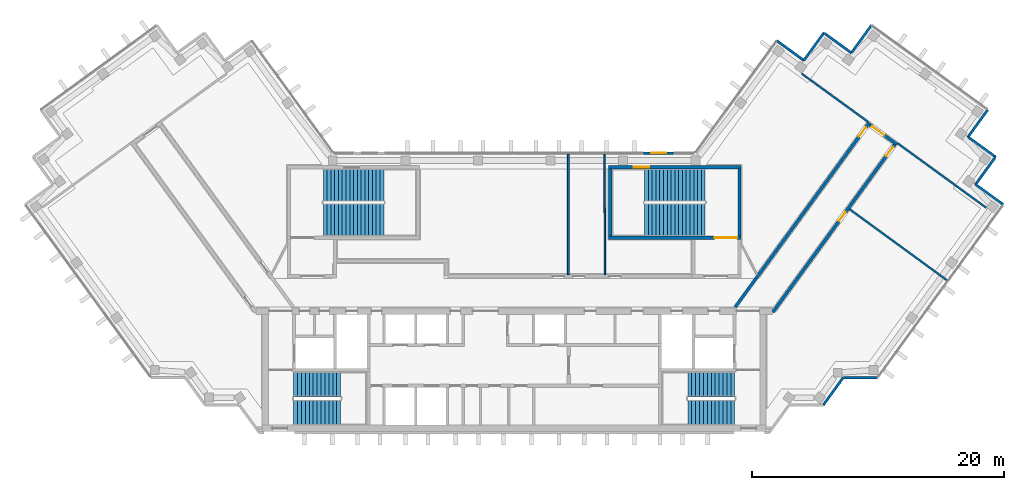
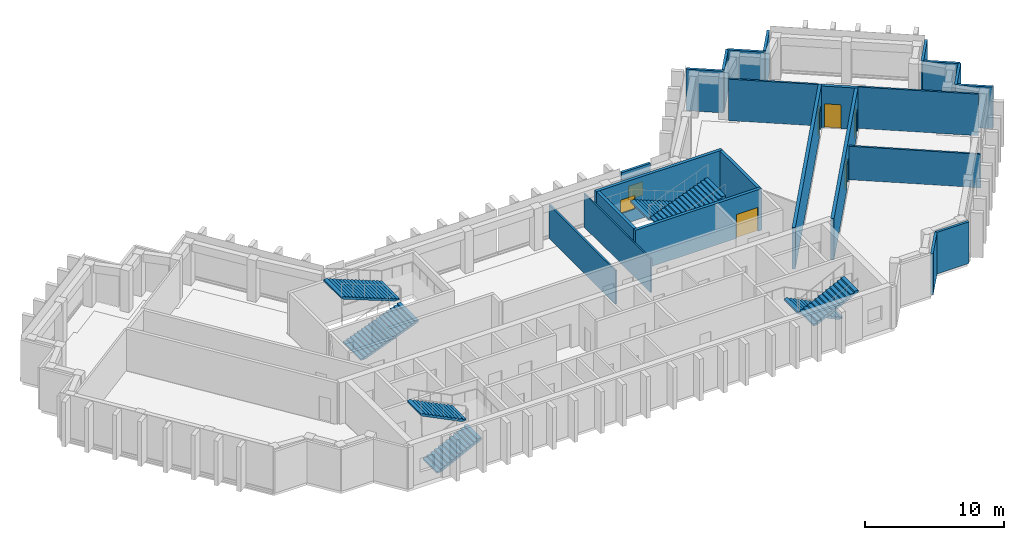
# One storey, part 6 of 8: 23 walls, 8 stair flights, 5 doors, 2 windows, 7 openings, 4 elements without a shape of their own.
"""IFC4 building model written with IfcOpenShell, lengths in metres."""

from ifc_helpers import new_model, si_unit, direction, frame, frame_2d, origin, place, context, subcontext, project, spatial, polyline, rectangle, outline, extrude, material, layer, layer_set, type_object, element, fill, aggregate, save


model = new_model("IFC4")

# Units and contexts
model_context = context("Model", 3, precision=1e-05, world=origin(), true_north=direction((0.0, 1.0)))
body_context = subcontext(model_context, "Body", "Model", "MODEL_VIEW")
ifc_project = project(units=[si_unit("LENGTHUNIT", "METRE"), si_unit("AREAUNIT", "SQUARE_METRE"), si_unit("VOLUMEUNIT", "CUBIC_METRE"), si_unit("PLANEANGLEUNIT", "RADIAN"), si_unit("MASSUNIT", "GRAM", prefix="KILO")], contexts=[model_context])

# Site, building, storey
site_placement = place(None, origin())
site = spatial("IfcSite", under=ifc_project, at=site_placement, CompositionType="ELEMENT")
building_placement = place(site_placement, origin())
building = spatial("IfcBuilding", under=site, at=building_placement, Name="Quipu Civic Tower", CompositionType="ELEMENT")
storey_placement = place(building_placement, frame((0.0, 0.0, 343.0)))
storey = spatial("IfcBuildingStorey", under=building, at=storey_placement, Name="L80", CompositionType="ELEMENT", Elevation=343.0)

# Walls
ifc_material_1 = material(Name="Double gypsum plasterboard with mineral wool")
ifc_layer_1 = layer(ifc_material_1, 0.14990234375)
ifc_layer_set_1 = layer_set([ifc_layer_1], Name="Double gypsum plasterboard with mineral wool")
wall_type_1 = type_object("IfcWallType", Name="Acoustic partition 150 plasterboard", PredefinedType="PARTITIONING", material=ifc_layer_set_1)
wall_1_placement = place(storey_placement, frame((28.0732421875, 13.577880859375, 0.0), z_axis=(0.0, 0.0, 1.0), x_axis=(-0.809000932727, 0.587807358619, 0.0)))
element("IfcWall", 1, at=wall_1_placement, inside=storey, type_object=wall_type_1, Name="Partition P01", PredefinedType="PARTITIONING", context=body_context, shape_type="SweptSolid", body=[
    extrude(rectangle(XDim=6.49560546875, YDim=0.14990234375, at=frame_2d((3.247802734375, 0.0))), origin(), (0.0, 0.0, 1.0), 3.64990234375),
])
wall_2_placement = place(storey_placement, frame((37.4580078125, 6.759765625, 0.0), z_axis=(0.0, 0.0, 1.0), x_axis=(-0.809016295501, 0.587786214209, 0.0)))
element("IfcWall", 2, at=wall_2_placement, inside=storey, type_object=wall_type_1, Name="Partition P02", PredefinedType="PARTITIONING", context=body_context, shape_type="SweptSolid", body=[
    extrude(rectangle(XDim=8.700439453125, YDim=0.14990234375, at=frame_2d((4.35009765625, 0.0))), origin(), (0.0, 0.0, 1.0), 3.64990234375),
])
for number, where, z_axis, x_axis, name in (
    (3, (26.618896484375, 6.643310546875, 0.0), (0.0, 0.0, 1.0), (0.807594822539, -0.589737740532, 0.0), "Partition P03"),
    (4, (4.299072265625, 1.449951171875, 0.0), (0.0, 0.0, 1.0), (0.0, 1.0, 0.0), "Partition P06"),
):
    element("IfcWall", number, at=place(storey_placement, frame(where, z_axis=z_axis, x_axis=x_axis)), inside=storey, type_object=wall_type_1, Name=name, PredefinedType="PARTITIONING", context=body_context, shape_type="SweptSolid", body=[
        extrude(rectangle(XDim=9.550048828125, YDim=0.14990234375, at=frame_2d((4.77490234375, 0.0))), origin(), (0.0, 0.0, 1.0), 2.949951171875),
    ])

# Wall, opening, door
ifc_material_2 = material(Name="Concrete C70/85", Category="concrete")
ifc_layer_2 = layer(ifc_material_2, 0.25)
ifc_layer_set_2 = layer_set([ifc_layer_2], Name="Concrete C70/85")
wall_type_2 = type_object("IfcWallType", Name="Core wall 250", PredefinedType="SHEAR", material=ifc_layer_set_2)
wall_3_placement = place(storey_placement, frame((7.5, 4.375, 0.0), z_axis=(0.0, 0.0, 1.0), x_axis=(1.0, 0.0, 0.0)))
wall_3 = element("IfcWall", 5, at=wall_3_placement, inside=storey, type_object=wall_type_2, Name="Core wall", PredefinedType="SHEAR", context=body_context, shape_type="SweptSolid", body=[
    extrude(rectangle(XDim=10.5, YDim=0.25, at=frame_2d((5.25, 0.0))), origin(), (0.0, 0.0, 1.0), 3.64990234375),
])
opening_1_placement = place(wall_3_placement, frame((8.39990234375, 0.0, 0.0)))
opening_1 = element("IfcOpeningElement", 6, at=opening_1_placement, cuts=wall_3, Name="Opening CD-26", PredefinedType="OPENING", context=body_context, shape_type="SweptSolid", body=[
    extrude(rectangle(XDim=1.800048828125, YDim=2.10009765625, at=frame_2d((0.89990234375, 1.050048828125))), frame((0.0, 0.135009765625, 0.0), z_axis=(0.0, -1.0, 0.0), x_axis=(1.0, 0.0, 0.0)), (0.0, 0.0, 1.0), 0.27001953125),
])
ifc_material_3 = material(Name="Fire rated steel door", Category="steel")
door_type_1 = type_object("IfcDoorType", Name="Fire door FD90 double 1800 x 2100", OperationType="NOTDEFINED", PredefinedType="DOOR", material=ifc_material_3)
door_1_placement = place(opening_1_placement, origin())
door_1 = element("IfcDoor", 7, at=door_1_placement, inside=storey, type_object=door_type_1, Name="Door", OperationType="DOUBLE_DOOR_SINGLE_SWING", OverallHeight=2.10009765625, OverallWidth=1.800048828125, PredefinedType="DOOR", context=body_context, shape_type="SweptSolid", body=[
    extrude(rectangle(XDim=1.800048828125, YDim=2.10009765625, at=frame_2d((0.89990234375, 1.050048828125))), frame((0.0, 0.02490234375, 0.0), z_axis=(0.0, -1.0, 0.0), x_axis=(1.0, 0.0, 0.0)), (0.0, 0.0, 1.0), 0.050048828125),
])
fill(opening_1, door_1)

# Walls
for number, where, z_axis, x_axis, name in (
    (8, (7.625, 4.5, 0.0), (0.0, 0.0, 1.0), (0.0, 1.0, 0.0), "Core wall"),
    (9, (17.875, 4.5, 0.0), (0.0, 0.0, 1.0), (0.0, 1.0, 0.0), "Core wall"),
):
    element("IfcWall", number, at=place(storey_placement, frame(where, z_axis=z_axis, x_axis=x_axis)), inside=storey, type_object=wall_type_2, Name=name, PredefinedType="SHEAR", context=body_context, shape_type="SweptSolid", body=[
        extrude(rectangle(XDim=5.35009765625, YDim=0.25, at=frame_2d((2.675048828125, 0.0))), origin(), (0.0, 0.0, 1.0), 3.64990234375),
    ])

# Wall, opening, window
wall_4_placement = place(storey_placement, frame((7.5, 9.97509765625, 0.0), z_axis=(0.0, 0.0, 1.0), x_axis=(1.0, 0.0, 0.0)))
wall_4 = element("IfcWall", 10, at=wall_4_placement, inside=storey, type_object=wall_type_2, Name="Core wall", PredefinedType="SHEAR", context=body_context, shape_type="SweptSolid", body=[
    extrude(rectangle(XDim=10.5, YDim=0.25, at=frame_2d((5.25, 0.0))), origin(), (0.0, 0.0, 1.0), 3.64990234375),
])
opening_2_placement = place(wall_4_placement, frame((2.0, 0.0, 1.0)))
opening_2 = element("IfcOpeningElement", 11, at=opening_2_placement, cuts=wall_4, Name="Opening SV-4", PredefinedType="OPENING", context=body_context, shape_type="SweptSolid", body=[
    extrude(rectangle(XDim=1.199951171875, YDim=1.199951171875, at=frame_2d((0.60009765625, 0.60009765625))), frame((0.0, 0.135009765625, 0.0), z_axis=(0.0, -1.0, 0.0), x_axis=(1.0, 0.0, 0.0)), (0.0, 0.0, 1.0), 0.27001953125),
])
ifc_material_4 = material(Name="Aluminium louvre", Category="aluminium")
window_type_1 = type_object("IfcWindowType", Name="Stair ventilation louvre 1200 x 1200", PartitioningType="SINGLE_PANEL", PredefinedType="WINDOW", material=ifc_material_4)
window_1_placement = place(opening_2_placement, origin())
window_1 = element("IfcWindow", 12, at=window_1_placement, inside=storey, type_object=window_type_1, Name="Stair ventilation opening", OverallHeight=1.199951171875, OverallWidth=1.199951171875, PartitioningType="SINGLE_PANEL", PredefinedType="WINDOW", context=body_context, shape_type="SweptSolid", body=[
    extrude(rectangle(XDim=1.199951171875, YDim=1.199951171875, at=frame_2d((0.60009765625, 0.60009765625))), frame((0.0, 0.030029296875, 0.0), z_axis=(0.0, -1.0, 0.0), x_axis=(1.0, 0.0, 0.0)), (0.0, 0.0, 1.0), 0.06005859375),
])
fill(opening_2, window_1)

# Wall, opening, door
ifc_material_5 = material(Name="Concrete C50/60", Category="concrete")
ifc_layer_3 = layer(ifc_material_5, 0.25)
ifc_layer_set_3 = layer_set([ifc_layer_3], Name="Concrete C50/60")
wall_type_3 = type_object("IfcWallType", Name="Corridor wall 250 concrete", PredefinedType="SOLIDWALL", material=ifc_layer_set_3)
wall_5_placement = place(storey_placement, frame((17.544921875, -1.124755859375, 0.0), z_axis=(0.0, 0.0, 1.0), x_axis=(0.58779555165, 0.809009511354, 0.0)))
wall_5 = element("IfcWall", 13, at=wall_5_placement, inside=storey, type_object=wall_type_3, Name="Corridor wall C01", PredefinedType="SOLIDWALL", context=body_context, shape_type="SweptSolid", body=[
    extrude(rectangle(XDim=18.10302734375, YDim=0.25, at=frame_2d((9.051513671875, 0.0))), origin(), (0.0, 0.0, 1.0), 3.64990234375),
])
opening_3_placement = place(wall_5_placement, frame((16.72802734375, 0.0, 0.0)))
opening_3 = element("IfcOpeningElement", 14, at=opening_3_placement, cuts=wall_5, Name="Opening D001", PredefinedType="OPENING", context=body_context, shape_type="SweptSolid", body=[
    extrude(rectangle(XDim=0.89990234375, YDim=2.10009765625, at=frame_2d((0.449951171875, 1.050048828125))), frame((0.0, 0.135009765625, 0.0), z_axis=(0.0, -1.0, 0.0), x_axis=(1.0, 0.0, 0.0)), (0.0, 0.0, 1.0), 0.27001953125),
])
ifc_material_6 = material(Name="Fire rated timber door set with metal frame", Category="wood")
door_type_2 = type_object("IfcDoorType", Name="Single door 900 x 2100 FD60", OperationType="NOTDEFINED", PredefinedType="DOOR", material=ifc_material_6)
door_2_placement = place(opening_3_placement, origin())
door_2 = element("IfcDoor", 15, at=door_2_placement, inside=storey, type_object=door_type_2, Name="Door D001", OperationType="SINGLE_SWING_RIGHT", OverallHeight=2.10009765625, OverallWidth=0.89990234375, PredefinedType="DOOR", context=body_context, shape_type="SweptSolid", body=[
    extrude(rectangle(XDim=0.89990234375, YDim=2.10009765625, at=frame_2d((0.449951171875, 1.050048828125))), frame((0.0, 0.02490234375, 0.0), z_axis=(0.0, -1.0, 0.0), x_axis=(1.0, 0.0, 0.0)), (0.0, 0.0, 1.0), 0.050048828125),
])
fill(opening_3, door_2)

wall_6_placement = place(storey_placement, frame((28.21337890625, 13.34619140625, 0.0), z_axis=(0.0, 0.0, 1.0), x_axis=(0.809006914995, -0.587799125119, 0.0)))
wall_6 = element("IfcWall", 16, at=wall_6_placement, inside=storey, type_object=wall_type_3, Name="Corridor wall C02", PredefinedType="SOLIDWALL", context=body_context, shape_type="SweptSolid", body=[
    extrude(rectangle(XDim=2.64990234375, YDim=0.25, at=frame_2d((1.324951171875, 0.0))), origin(), (0.0, 0.0, 1.0), 3.64990234375),
])
opening_4_placement = place(wall_6_placement, frame((0.224609375, 0.0, 0.0)))
opening_4 = element("IfcOpeningElement", 17, at=opening_4_placement, cuts=wall_6, Name="Opening D004", PredefinedType="OPENING", context=body_context, shape_type="SweptSolid", body=[
    extrude(rectangle(XDim=1.199951171875, YDim=2.10009765625, at=frame_2d((0.60009765625, 1.050048828125))), frame((0.0, 0.135009765625, 0.0), z_axis=(0.0, -1.0, 0.0), x_axis=(1.0, 0.0, 0.0)), (0.0, 0.0, 1.0), 0.27001953125),
])
ifc_material_7 = material(Name="Fire rated timber door set with metal frame", Category="wood")
door_type_3 = type_object("IfcDoorType", Name="Single door 1200 x 2100 FD60", OperationType="NOTDEFINED", PredefinedType="DOOR", material=ifc_material_7)
door_3_placement = place(opening_4_placement, origin())
door_3 = element("IfcDoor", 18, at=door_3_placement, inside=storey, type_object=door_type_3, Name="Door D004", OperationType="SINGLE_SWING_LEFT", OverallHeight=2.10009765625, OverallWidth=1.199951171875, PredefinedType="DOOR", context=body_context, shape_type="SweptSolid", body=[
    extrude(rectangle(XDim=1.199951171875, YDim=2.10009765625, at=frame_2d((0.60009765625, 1.050048828125))), frame((0.0, 0.02490234375, 0.0), z_axis=(0.0, -1.0, 0.0), x_axis=(1.0, 0.0, 0.0)), (0.0, 0.0, 1.0), 0.050048828125),
])
fill(opening_4, door_3)

# Wall, openings, doors
wall_7_placement = place(storey_placement, frame((30.1826171875, 11.760986328125, 0.0), z_axis=(0.0, 0.0, 1.0), x_axis=(-0.587781762867, -0.80901952958, 0.0)))
wall_7 = element("IfcWall", 19, at=wall_7_placement, inside=storey, type_object=wall_type_3, Name="Corridor wall C03", PredefinedType="SOLIDWALL", context=body_context, shape_type="SweptSolid", body=[
    extrude(rectangle(XDim=16.42041015625, YDim=0.25, at=frame_2d((8.210205078125, 0.0))), origin(), (0.0, 0.0, 1.0), 3.64990234375),
])
opening_5_placement = place(wall_7_placement, frame((0.224609375, 0.0, 0.0)))
opening_5 = element("IfcOpeningElement", 20, at=opening_5_placement, cuts=wall_7, Name="Opening D003", PredefinedType="OPENING", context=body_context, shape_type="SweptSolid", body=[
    extrude(rectangle(XDim=0.89990234375, YDim=2.10009765625, at=frame_2d((0.449951171875, 1.050048828125))), frame((0.0, 0.135009765625, 0.0), z_axis=(0.0, -1.0, 0.0), x_axis=(1.0, 0.0, 0.0)), (0.0, 0.0, 1.0), 0.27001953125),
])
opening_6_placement = place(wall_7_placement, frame((6.604736328125, 0.0, 0.0)))
opening_6 = element("IfcOpeningElement", 21, at=opening_6_placement, cuts=wall_7, Name="Opening D002", PredefinedType="OPENING", context=body_context, shape_type="SweptSolid", body=[
    extrude(rectangle(XDim=0.89990234375, YDim=2.10009765625, at=frame_2d((0.449951171875, 1.050048828125))), frame((0.0, 0.135009765625, 0.0), z_axis=(0.0, -1.0, 0.0), x_axis=(1.0, 0.0, 0.0)), (0.0, 0.0, 1.0), 0.27001953125),
])
door_4_placement = place(opening_5_placement, origin())
door_4 = element("IfcDoor", 22, at=door_4_placement, inside=storey, type_object=door_type_2, Name="Door D003", OperationType="SINGLE_SWING_LEFT", OverallHeight=2.10009765625, OverallWidth=0.89990234375, PredefinedType="DOOR", context=body_context, shape_type="SweptSolid", body=[
    extrude(rectangle(XDim=0.89990234375, YDim=2.10009765625, at=frame_2d((0.449951171875, 1.050048828125))), frame((0.0, 0.02490234375, 0.0), z_axis=(0.0, -1.0, 0.0), x_axis=(1.0, 0.0, 0.0)), (0.0, 0.0, 1.0), 0.050048828125),
])
fill(opening_5, door_4)
door_5_placement = place(opening_6_placement, origin())
door_5 = element("IfcDoor", 23, at=door_5_placement, inside=storey, type_object=door_type_2, Name="Door D002", OperationType="SINGLE_SWING_LEFT", OverallHeight=2.10009765625, OverallWidth=0.89990234375, PredefinedType="DOOR", context=body_context, shape_type="SweptSolid", body=[
    extrude(rectangle(XDim=0.89990234375, YDim=2.10009765625, at=frame_2d((0.449951171875, 1.050048828125))), frame((0.0, 0.02490234375, 0.0), z_axis=(0.0, -1.0, 0.0), x_axis=(1.0, 0.0, 0.0)), (0.0, 0.0, 1.0), 0.050048828125),
])
fill(opening_6, door_5)

# Walls
ifc_material_8 = material(Name="Gypsum plasterboard on light gauge framing")
ifc_layer_4 = layer(ifc_material_8, 0.1201171875)
ifc_layer_set_4 = layer_set([ifc_layer_4], Name="Gypsum plasterboard on light gauge framing")
wall_type_4 = type_object("IfcWallType", Name="Partition 120 plasterboard", PredefinedType="PARTITIONING", material=ifc_layer_set_4)
wall_8_placement = place(storey_placement, frame((7.197998046875, 1.449951171875, 0.0), z_axis=(0.0, 0.0, 1.0), x_axis=(-0.002377476217, 0.999997173799, 0.0)))
element("IfcWall", 24, at=wall_8_placement, inside=storey, type_object=wall_type_4, Name="Partition P07", PredefinedType="PARTITIONING", context=body_context, shape_type="SweptSolid", body=[
    extrude(rectangle(XDim=9.550048828125, YDim=0.1201171875, at=frame_2d((4.77490234375, 0.0))), origin(), (0.0, 0.0, 1.0), 2.949951171875),
])
ifc_material_9 = material(Name="Precast concrete C40/50", Category="concrete")
wall_type_5 = type_object("IfcWallType", Name="Precast cladding wall", PredefinedType="SOLIDWALL", material=ifc_material_9)
wall_9_placement = place(storey_placement, frame((24.533203125, -8.90869140625, 0.0), z_axis=(0.0, 0.0, 1.0), x_axis=(0.587720002413, 0.809064397168, 0.0)))
element("IfcWall", 25, at=wall_9_placement, inside=storey, type_object=wall_type_5, Name="Precast cladding wall L80 P02", PredefinedType="SOLIDWALL", context=body_context, shape_type="SweptSolid", body=[
    extrude(rectangle(XDim=2.7001953125, YDim=0.199951171875, at=frame_2d((1.35009765625, 0.0))), origin(), (0.0, 0.0, 1.0), 3.64990234375),
])
for number, where, z_axis, x_axis, name in (
    (26, (26.1298828125, -6.71923828125, 0.0), (0.0, 0.0, 1.0), (1.0, 0.0, 0.0), "Precast cladding wall L80 P03"),
    (27, (38.813720703125, 7.010498046875, 0.0), (0.0, 0.0, 1.0), (-0.809033161865, 0.587762999008, 0.0), "Precast cladding wall L80 P05"),
    (28, (36.60205078125, 8.580322265625, 0.0), (0.0, 0.0, 1.0), (0.587822180636, 0.808990163075, 0.0), "Precast cladding wall L80 P06"),
    (29, (38.21630859375, 10.78173828125, 0.0), (0.0, 0.0, 1.0), (-0.809033161865, 0.587762999008, 0.0), "Precast cladding wall L80 P07"),
    (30, (36.0048828125, 12.3515625, 0.0), (0.0, 0.0, 1.0), (0.587762999008, 0.809033161865, 0.0), "Precast cladding wall L80 20"),
):
    element("IfcWall", number, at=place(storey_placement, frame(where, z_axis=z_axis, x_axis=x_axis)), inside=storey, type_object=wall_type_5, Name=name, PredefinedType="SOLIDWALL", context=body_context, shape_type="SweptSolid", body=[
        extrude(rectangle(XDim=2.699951171875, YDim=0.199951171875, at=frame_2d((1.35009765625, 0.0))), origin(), (0.0, 0.0, 1.0), 3.64990234375),
    ])
for number, where, z_axis, x_axis, name in (
    (31, (28.3544921875, 21.247314453125, 0.0), (0.0, 0.0, 1.0), (-0.587720002413, -0.809064397168, 0.0), "Precast cladding wall L80 22"),
    (32, (26.78466796875, 19.03564453125, 0.0), (0.0, 0.0, 1.0), (-0.809064397168, 0.587720002413, 0.0), "Precast cladding wall L80 23"),
):
    element("IfcWall", number, at=place(storey_placement, frame(where, z_axis=z_axis, x_axis=x_axis)), inside=storey, type_object=wall_type_5, Name=name, PredefinedType="SOLIDWALL", context=body_context, shape_type="SweptSolid", body=[
        extrude(rectangle(XDim=2.7001953125, YDim=0.199951171875, at=frame_2d((1.35009765625, 0.0))), origin(), (0.0, 0.0, 1.0), 3.64990234375),
    ])
for number, where, z_axis, x_axis, name in (
    (33, (24.583251953125, 20.64990234375, 0.0), (0.0, 0.0, 1.0), (-0.587762999008, -0.809033161865, 0.0), "Precast cladding wall L80 24"),
    (34, (23.01318359375, 18.438232421875, 0.0), (0.0, 0.0, 1.0), (-0.808990163075, 0.587822180636, 0.0), "Precast cladding wall L80 25"),
):
    element("IfcWall", number, at=place(storey_placement, frame(where, z_axis=z_axis, x_axis=x_axis)), inside=storey, type_object=wall_type_5, Name=name, PredefinedType="SOLIDWALL", context=body_context, shape_type="SweptSolid", body=[
        extrude(rectangle(XDim=2.699951171875, YDim=0.199951171875, at=frame_2d((1.35009765625, 0.0))), origin(), (0.0, 0.0, 1.0), 3.64990234375),
    ])

# Wall, opening, window
wall_10_placement = place(storey_placement, frame((12.655029296875, 11.10009765625, 0.0), z_axis=(0.0, 0.0, 1.0), x_axis=(-1.0, 0.0, 0.0)))
wall_10 = element("IfcWall", 35, at=wall_10_placement, inside=storey, type_object=wall_type_5, Name="Vent surround SF-L80-2", PredefinedType="SOLIDWALL", context=body_context, shape_type="SweptSolid", body=[
    extrude(rectangle(XDim=2.3916015625, YDim=0.199951171875, at=frame_2d((1.19580078125, 0.0))), origin(), (0.0, 0.0, 1.0), 3.64990234375),
])
opening_7_placement = place(wall_10_placement, frame((0.595703125, 0.0, 1.0)))
opening_7 = element("IfcOpeningElement", 36, at=opening_7_placement, cuts=wall_10, Name="Opening SF-L80-2", PredefinedType="OPENING", context=body_context, shape_type="SweptSolid", body=[
    extrude(rectangle(XDim=1.199951171875, YDim=1.199951171875, at=frame_2d((0.60009765625, 0.60009765625))), frame((0.0, 0.10986328125, 0.0), z_axis=(0.0, -1.0, 0.0), x_axis=(1.0, 0.0, 0.0)), (0.0, 0.0, 1.0), 0.219970703125),
])
ifc_material_10 = material(Name="Anodised aluminium louvre", Category="aluminium")
window_type_2 = type_object("IfcWindowType", Name="Stair vent louvre window P3", PartitioningType="SINGLE_PANEL", PredefinedType="WINDOW", material=ifc_material_10)
window_2_placement = place(opening_7_placement, origin())
window_2 = element("IfcWindow", 37, at=window_2_placement, inside=storey, type_object=window_type_2, Name="Stair vent louvre SF-L80-2", OverallHeight=1.199951171875, OverallWidth=1.199951171875, PartitioningType="SINGLE_PANEL", PredefinedType="WINDOW", context=body_context, shape_type="SweptSolid", body=[
    extrude(rectangle(XDim=1.199951171875, YDim=1.199951171875, at=frame_2d((0.60009765625, 0.60009765625))), frame((0.0, 0.030029296875, 0.0), z_axis=(0.0, -1.0, 0.0), x_axis=(1.0, 0.0, 0.0)), (0.0, 0.0, 1.0), 0.06005859375),
])
fill(opening_7, window_2)

# Stair, stair flights
ifc_material_11 = material(Name="Concrete C40/50", Category="concrete")
stair_type_1 = type_object("IfcStairType", Name="Half turn stair 2000", PredefinedType="HALF_TURN_STAIR", material=ifc_material_11)
stair_1_placement = place(storey_placement, origin())
stair_1 = element("IfcStair", 38, at=stair_1_placement, inside=storey, type_object=stair_type_1, Name="Exit stair 1", PredefinedType="HALF_TURN_STAIR")
ifc_material_12 = material(Name="Concrete C40/50", Category="concrete")
stair_flight_type_1 = type_object("IfcStairFlightType", Name="Stair flight 2000", PredefinedType="STRAIGHT", material=ifc_material_12)
stair_flight_1_placement = place(storey_placement, frame((-17.5, -9.5, 0.0), z_axis=(0.0, 0.0, 1.0), x_axis=(1.0, 0.0, 0.0)))
stair_flight_1 = element("IfcStairFlight", 39, at=stair_flight_1_placement, type_object=stair_flight_type_1, Name="ST-1 flight 1", NumberOfRisers=13, NumberOfTreads=12, PredefinedType="STRAIGHT", RiserHeight=0.153846154, TreadLength=0.31, context=body_context, shape_type="SweptSolid", body=[
    extrude(outline(polyline([(0.0, 0.0), (0.0, 0.15380859375), (0.31005859375, 0.15380859375), (0.31005859375, 0.3076171875), (0.6201171875, 0.3076171875), (0.6201171875, 0.46142578125), (0.929931640625, 0.46142578125), (0.929931640625, 0.615478515625), (1.239990234375, 0.615478515625), (1.239990234375, 0.769287109375), (1.550048828125, 0.769287109375), (1.550048828125, 0.923095703125), (1.860107421875, 0.923095703125), (1.860107421875, 1.076904296875), (2.169921875, 1.076904296875), (2.169921875, 1.230712890625), (2.47998046875, 1.230712890625), (2.47998046875, 1.384521484375), (2.7900390625, 1.384521484375), (2.7900390625, 1.53857421875), (3.10009765625, 1.53857421875), (3.10009765625, 1.6923828125), (3.409912109375, 1.6923828125), (3.409912109375, 1.84619140625), (3.719970703125, 1.84619140625), (3.719970703125, 2.0), (3.719970703125, 1.6787109375), (0.337158203125, 0.0), (0.0, 0.0)])), frame((0.0, 1.0, 0.0), z_axis=(0.0, -1.0, 0.0), x_axis=(1.0, 0.0, 0.0)), (0.0, 0.0, 1.0), 2.0),
])
stair_flight_2_placement = place(storey_placement, frame((-13.780029296875, -7.25, 2.0), z_axis=(0.0, 0.0, 1.0), x_axis=(-1.0, 0.0, 0.0)))
stair_flight_2 = element("IfcStairFlight", 40, at=stair_flight_2_placement, type_object=stair_flight_type_1, Name="ST-1 flight 2", NumberOfRisers=13, NumberOfTreads=12, PredefinedType="STRAIGHT", RiserHeight=0.153846154, TreadLength=0.31, context=body_context, shape_type="SweptSolid", body=[
    extrude(outline(polyline([(0.0, 0.0), (0.0, 0.15380859375), (0.31005859375, 0.15380859375), (0.31005859375, 0.3076171875), (0.6201171875, 0.3076171875), (0.6201171875, 0.46142578125), (0.929931640625, 0.46142578125), (0.929931640625, 0.615478515625), (1.239990234375, 0.615478515625), (1.239990234375, 0.769287109375), (1.550048828125, 0.769287109375), (1.550048828125, 0.923095703125), (1.860107421875, 0.923095703125), (1.860107421875, 1.076904296875), (2.169921875, 1.076904296875), (2.169921875, 1.230712890625), (2.47998046875, 1.230712890625), (2.47998046875, 1.384521484375), (2.7900390625, 1.384521484375), (2.7900390625, 1.53857421875), (3.10009765625, 1.53857421875), (3.10009765625, 1.6923828125), (3.409912109375, 1.6923828125), (3.409912109375, 1.84619140625), (3.719970703125, 1.84619140625), (3.719970703125, 2.0), (3.719970703125, 1.6787109375), (0.337158203125, 0.0), (0.0, 0.0)])), frame((0.0, 1.0, 0.0), z_axis=(0.0, -1.0, 0.0), x_axis=(1.0, 0.0, 0.0)), (0.0, 0.0, 1.0), 2.0),
])
aggregate(stair_1, [stair_flight_1, stair_flight_2])

stair_2_placement = place(storey_placement, origin())
stair_2 = element("IfcStair", 41, at=stair_2_placement, inside=storey, type_object=stair_type_1, Name="Exit stair 2", PredefinedType="HALF_TURN_STAIR")
stair_flight_3_placement = place(storey_placement, frame((17.5, -7.25, 0.0), z_axis=(0.0, 0.0, 1.0), x_axis=(-1.0, 0.0, 0.0)))
stair_flight_3 = element("IfcStairFlight", 42, at=stair_flight_3_placement, type_object=stair_flight_type_1, Name="ST-2 flight 1", NumberOfRisers=13, NumberOfTreads=12, PredefinedType="STRAIGHT", RiserHeight=0.153846154, TreadLength=0.31, context=body_context, shape_type="SweptSolid", body=[
    extrude(outline(polyline([(0.0, 0.0), (0.0, 0.15380859375), (0.31005859375, 0.15380859375), (0.31005859375, 0.3076171875), (0.6201171875, 0.3076171875), (0.6201171875, 0.46142578125), (0.929931640625, 0.46142578125), (0.929931640625, 0.615478515625), (1.239990234375, 0.615478515625), (1.239990234375, 0.769287109375), (1.550048828125, 0.769287109375), (1.550048828125, 0.923095703125), (1.860107421875, 0.923095703125), (1.860107421875, 1.076904296875), (2.169921875, 1.076904296875), (2.169921875, 1.230712890625), (2.47998046875, 1.230712890625), (2.47998046875, 1.384521484375), (2.7900390625, 1.384521484375), (2.7900390625, 1.53857421875), (3.10009765625, 1.53857421875), (3.10009765625, 1.6923828125), (3.409912109375, 1.6923828125), (3.409912109375, 1.84619140625), (3.719970703125, 1.84619140625), (3.719970703125, 2.0), (3.719970703125, 1.6787109375), (0.337158203125, 0.0), (0.0, 0.0)])), frame((0.0, 1.0, 0.0), z_axis=(0.0, -1.0, 0.0), x_axis=(1.0, 0.0, 0.0)), (0.0, 0.0, 1.0), 2.0),
])
stair_flight_4_placement = place(storey_placement, frame((13.780029296875, -9.5, 2.0), z_axis=(0.0, 0.0, 1.0), x_axis=(1.0, 0.0, 0.0)))
stair_flight_4 = element("IfcStairFlight", 43, at=stair_flight_4_placement, type_object=stair_flight_type_1, Name="ST-2 flight 2", NumberOfRisers=13, NumberOfTreads=12, PredefinedType="STRAIGHT", RiserHeight=0.153846154, TreadLength=0.31, context=body_context, shape_type="SweptSolid", body=[
    extrude(outline(polyline([(0.0, 0.0), (0.0, 0.15380859375), (0.31005859375, 0.15380859375), (0.31005859375, 0.3076171875), (0.6201171875, 0.3076171875), (0.6201171875, 0.46142578125), (0.929931640625, 0.46142578125), (0.929931640625, 0.615478515625), (1.239990234375, 0.615478515625), (1.239990234375, 0.769287109375), (1.550048828125, 0.769287109375), (1.550048828125, 0.923095703125), (1.860107421875, 0.923095703125), (1.860107421875, 1.076904296875), (2.169921875, 1.076904296875), (2.169921875, 1.230712890625), (2.47998046875, 1.230712890625), (2.47998046875, 1.384521484375), (2.7900390625, 1.384521484375), (2.7900390625, 1.53857421875), (3.10009765625, 1.53857421875), (3.10009765625, 1.6923828125), (3.409912109375, 1.6923828125), (3.409912109375, 1.84619140625), (3.719970703125, 1.84619140625), (3.719970703125, 2.0), (3.719970703125, 1.6787109375), (0.337158203125, 0.0), (0.0, 0.0)])), frame((0.0, 1.0, 0.0), z_axis=(0.0, -1.0, 0.0), x_axis=(1.0, 0.0, 0.0)), (0.0, 0.0, 1.0), 2.0),
])
aggregate(stair_2, [stair_flight_3, stair_flight_4])

ifc_material_13 = material(Name="Concrete C40/50", Category="concrete")
stair_type_2 = type_object("IfcStairType", Name="Half turn stair 2600", PredefinedType="HALF_TURN_STAIR", material=ifc_material_13)
stair_3_placement = place(storey_placement, origin())
stair_3 = element("IfcStair", 44, at=stair_3_placement, inside=storey, type_object=stair_type_2, Name="Exit stair 3", PredefinedType="HALF_TURN_STAIR")
ifc_material_14 = material(Name="Concrete C40/50", Category="concrete")
stair_flight_type_2 = type_object("IfcStairFlightType", Name="Stair flight 2600", PredefinedType="STRAIGHT", material=ifc_material_14)
stair_flight_5_placement = place(storey_placement, frame((-15.14990234375, 5.800048828125, 0.0), z_axis=(0.0, 0.0, 1.0), x_axis=(1.0, 0.0, 0.0)))
stair_flight_5 = element("IfcStairFlight", 45, at=stair_flight_5_placement, type_object=stair_flight_type_2, Name="ST-3 flight 1", NumberOfRisers=17, NumberOfTreads=16, PredefinedType="STRAIGHT", RiserHeight=0.117647059, TreadLength=0.3, context=body_context, shape_type="SweptSolid", body=[
    extrude(outline(polyline([(0.0, 0.0), (0.0, 0.11767578125), (0.300048828125, 0.11767578125), (0.300048828125, 0.2353515625), (0.60009765625, 0.2353515625), (0.60009765625, 0.35302734375), (0.89990234375, 0.35302734375), (0.89990234375, 0.470703125), (1.199951171875, 0.470703125), (1.199951171875, 0.588134765625), (1.5, 0.588134765625), (1.5, 0.705810546875), (1.800048828125, 0.705810546875), (1.800048828125, 0.823486328125), (2.10009765625, 0.823486328125), (2.10009765625, 0.941162109375), (2.39990234375, 0.941162109375), (2.39990234375, 1.058837890625), (2.699951171875, 1.058837890625), (2.699951171875, 1.176513671875), (3.0, 1.176513671875), (3.0, 1.294189453125), (3.300048828125, 1.294189453125), (3.300048828125, 1.411865234375), (3.60009765625, 1.411865234375), (3.60009765625, 1.529296875), (3.89990234375, 1.529296875), (3.89990234375, 1.64697265625), (4.199951171875, 1.64697265625), (4.199951171875, 1.7646484375), (4.5, 1.7646484375), (4.5, 1.88232421875), (4.800048828125, 1.88232421875), (4.800048828125, 2.0), (4.800048828125, 1.721435546875), (0.41064453125, 0.0), (0.0, 0.0)])), frame((0.0, 1.300048828125, 0.0), z_axis=(0.0, -1.0, 0.0), x_axis=(1.0, 0.0, 0.0)), (0.0, 0.0, 1.0), 2.60009765625),
])
stair_flight_6_placement = place(storey_placement, frame((-10.35009765625, 8.550048828125, 2.0), z_axis=(0.0, 0.0, 1.0), x_axis=(-1.0, 0.0, 0.0)))
stair_flight_6 = element("IfcStairFlight", 46, at=stair_flight_6_placement, type_object=stair_flight_type_2, Name="ST-3 flight 2", NumberOfRisers=17, NumberOfTreads=16, PredefinedType="STRAIGHT", RiserHeight=0.117647059, TreadLength=0.3, context=body_context, shape_type="SweptSolid", body=[
    extrude(outline(polyline([(0.0, 0.0), (0.0, 0.11767578125), (0.300048828125, 0.11767578125), (0.300048828125, 0.2353515625), (0.60009765625, 0.2353515625), (0.60009765625, 0.35302734375), (0.89990234375, 0.35302734375), (0.89990234375, 0.470703125), (1.199951171875, 0.470703125), (1.199951171875, 0.588134765625), (1.5, 0.588134765625), (1.5, 0.705810546875), (1.800048828125, 0.705810546875), (1.800048828125, 0.823486328125), (2.10009765625, 0.823486328125), (2.10009765625, 0.941162109375), (2.39990234375, 0.941162109375), (2.39990234375, 1.058837890625), (2.699951171875, 1.058837890625), (2.699951171875, 1.176513671875), (3.0, 1.176513671875), (3.0, 1.294189453125), (3.300048828125, 1.294189453125), (3.300048828125, 1.411865234375), (3.60009765625, 1.411865234375), (3.60009765625, 1.529296875), (3.89990234375, 1.529296875), (3.89990234375, 1.64697265625), (4.199951171875, 1.64697265625), (4.199951171875, 1.7646484375), (4.5, 1.7646484375), (4.5, 1.88232421875), (4.800048828125, 1.88232421875), (4.800048828125, 2.0), (4.800048828125, 1.721435546875), (0.41064453125, 0.0), (0.0, 0.0)])), frame((0.0, 1.300048828125, 0.0), z_axis=(0.0, -1.0, 0.0), x_axis=(1.0, 0.0, 0.0)), (0.0, 0.0, 1.0), 2.60009765625),
])
aggregate(stair_3, [stair_flight_5, stair_flight_6])

stair_4_placement = place(storey_placement, origin())
stair_4 = element("IfcStair", 47, at=stair_4_placement, inside=storey, type_object=stair_type_2, Name="Exit stair 4", PredefinedType="HALF_TURN_STAIR")
stair_flight_7_placement = place(storey_placement, frame((15.14990234375, 8.550048828125, 0.0), z_axis=(0.0, 0.0, 1.0), x_axis=(-1.0, 0.0, 0.0)))
stair_flight_7 = element("IfcStairFlight", 48, at=stair_flight_7_placement, type_object=stair_flight_type_2, Name="ST-4 flight 1", NumberOfRisers=17, NumberOfTreads=16, PredefinedType="STRAIGHT", RiserHeight=0.117647059, TreadLength=0.3, context=body_context, shape_type="SweptSolid", body=[
    extrude(outline(polyline([(0.0, 0.0), (0.0, 0.11767578125), (0.300048828125, 0.11767578125), (0.300048828125, 0.2353515625), (0.60009765625, 0.2353515625), (0.60009765625, 0.35302734375), (0.89990234375, 0.35302734375), (0.89990234375, 0.470703125), (1.199951171875, 0.470703125), (1.199951171875, 0.588134765625), (1.5, 0.588134765625), (1.5, 0.705810546875), (1.800048828125, 0.705810546875), (1.800048828125, 0.823486328125), (2.10009765625, 0.823486328125), (2.10009765625, 0.941162109375), (2.39990234375, 0.941162109375), (2.39990234375, 1.058837890625), (2.699951171875, 1.058837890625), (2.699951171875, 1.176513671875), (3.0, 1.176513671875), (3.0, 1.294189453125), (3.300048828125, 1.294189453125), (3.300048828125, 1.411865234375), (3.60009765625, 1.411865234375), (3.60009765625, 1.529296875), (3.89990234375, 1.529296875), (3.89990234375, 1.64697265625), (4.199951171875, 1.64697265625), (4.199951171875, 1.7646484375), (4.5, 1.7646484375), (4.5, 1.88232421875), (4.800048828125, 1.88232421875), (4.800048828125, 2.0), (4.800048828125, 1.721435546875), (0.41064453125, 0.0), (0.0, 0.0)])), frame((0.0, 1.300048828125, 0.0), z_axis=(0.0, -1.0, 0.0), x_axis=(1.0, 0.0, 0.0)), (0.0, 0.0, 1.0), 2.60009765625),
])
stair_flight_8_placement = place(storey_placement, frame((10.35009765625, 5.800048828125, 2.0), z_axis=(0.0, 0.0, 1.0), x_axis=(1.0, 0.0, 0.0)))
stair_flight_8 = element("IfcStairFlight", 49, at=stair_flight_8_placement, type_object=stair_flight_type_2, Name="ST-4 flight 2", NumberOfRisers=17, NumberOfTreads=16, PredefinedType="STRAIGHT", RiserHeight=0.117647059, TreadLength=0.3, context=body_context, shape_type="SweptSolid", body=[
    extrude(outline(polyline([(0.0, 0.0), (0.0, 0.11767578125), (0.300048828125, 0.11767578125), (0.300048828125, 0.2353515625), (0.60009765625, 0.2353515625), (0.60009765625, 0.35302734375), (0.89990234375, 0.35302734375), (0.89990234375, 0.470703125), (1.199951171875, 0.470703125), (1.199951171875, 0.588134765625), (1.5, 0.588134765625), (1.5, 0.705810546875), (1.800048828125, 0.705810546875), (1.800048828125, 0.823486328125), (2.10009765625, 0.823486328125), (2.10009765625, 0.941162109375), (2.39990234375, 0.941162109375), (2.39990234375, 1.058837890625), (2.699951171875, 1.058837890625), (2.699951171875, 1.176513671875), (3.0, 1.176513671875), (3.0, 1.294189453125), (3.300048828125, 1.294189453125), (3.300048828125, 1.411865234375), (3.60009765625, 1.411865234375), (3.60009765625, 1.529296875), (3.89990234375, 1.529296875), (3.89990234375, 1.64697265625), (4.199951171875, 1.64697265625), (4.199951171875, 1.7646484375), (4.5, 1.7646484375), (4.5, 1.88232421875), (4.800048828125, 1.88232421875), (4.800048828125, 2.0), (4.800048828125, 1.721435546875), (0.41064453125, 0.0), (0.0, 0.0)])), frame((0.0, 1.300048828125, 0.0), z_axis=(0.0, -1.0, 0.0), x_axis=(1.0, 0.0, 0.0)), (0.0, 0.0, 1.0), 2.60009765625),
])
aggregate(stair_4, [stair_flight_7, stair_flight_8])

save(model, "model.ifc")
